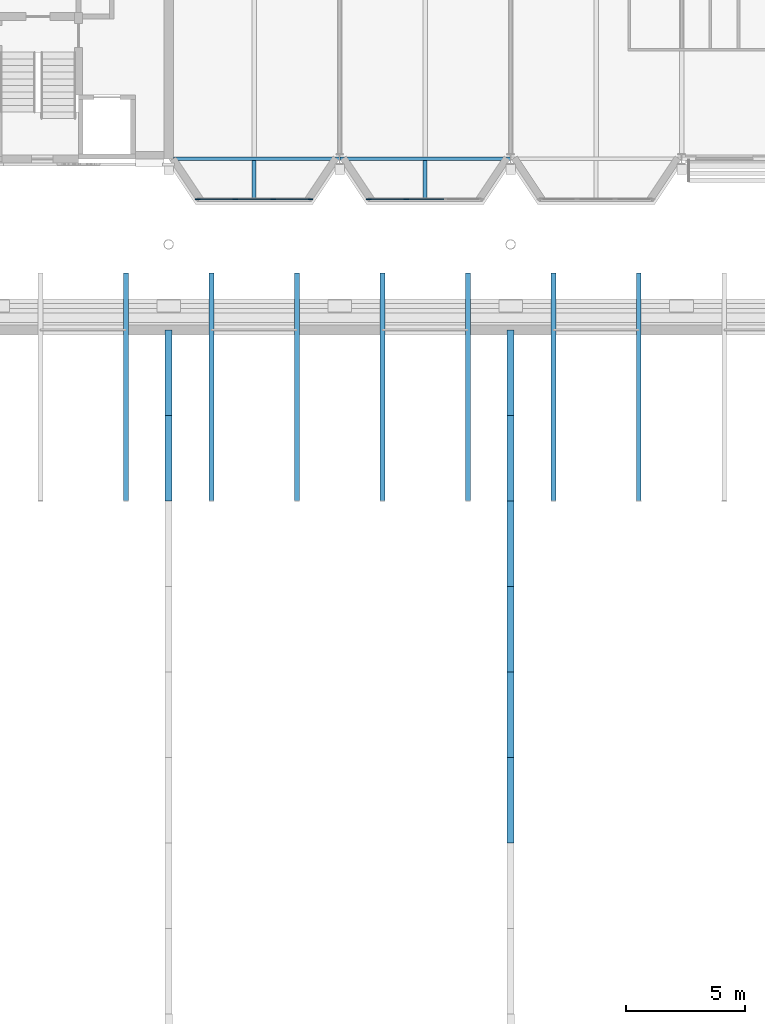
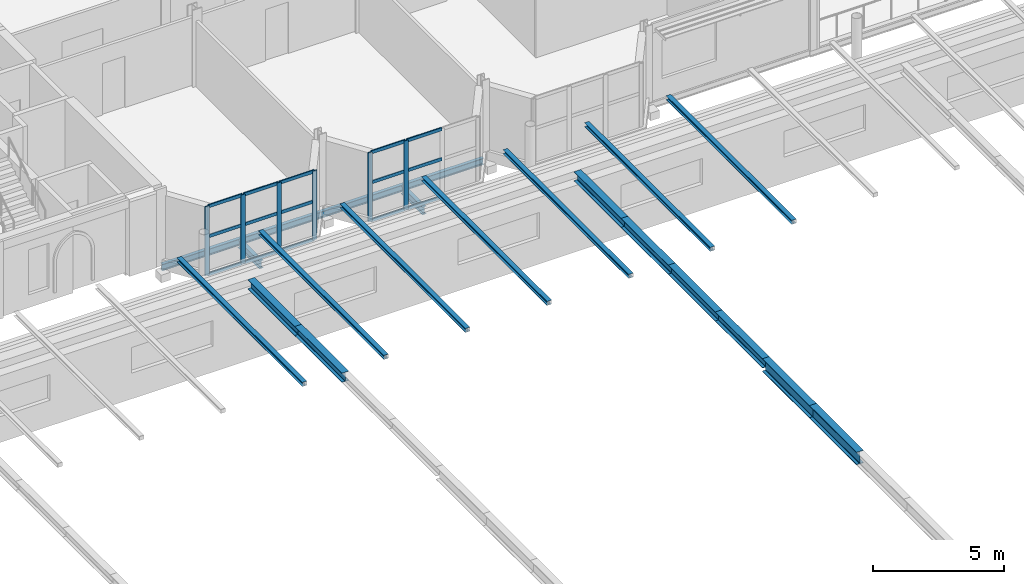
# One storey, part 27 of 110: 36 members, 4 beams, 2 elements without a shape of their own.
"""IFC4 building model written with IfcOpenShell, lengths in metres."""

from ifc_helpers import new_model, si_unit, direction, frame, origin, origin_2d, place, context, subcontext, project, spatial, rectangle, i_section, extrude, material, material_profile, profile_set, type_object, element, aggregate, save


model = new_model("IFC4")

# Units and contexts
model_context = context("Model", 3, precision=1e-05, world=origin(), true_north=direction((0.0, 1.0)))
body_context = subcontext(model_context, "Body", "Model", "MODEL_VIEW")
ifc_project = project(units=[si_unit("LENGTHUNIT", "METRE"), si_unit("AREAUNIT", "SQUARE_METRE"), si_unit("VOLUMEUNIT", "CUBIC_METRE"), si_unit("PLANEANGLEUNIT", "RADIAN"), si_unit("MASSUNIT", "GRAM", prefix="KILO")], contexts=[model_context])

# Site, building, storey
site_placement = place(None, origin())
site = spatial("IfcSite", under=ifc_project, at=site_placement, CompositionType="ELEMENT")
building_placement = place(site_placement, origin())
building = spatial("IfcBuilding", under=site, at=building_placement, Name="Kupolbacken Congress Centre", CompositionType="ELEMENT")
storey_placement = place(building_placement, frame((0.0, 0.0, 18.0)))
storey = spatial("IfcBuildingStorey", under=building, at=storey_placement, Name="L05", CompositionType="ELEMENT", Elevation=18.0)

# Beams
ifc_material_1 = material(Name="Steel S355", Category="steel")
ifc_material_profile_1 = material_profile(ifc_material_1, i_section(OverallWidth=0.14990234375, OverallDepth=0.300048828125, WebThickness=0.007080078125, FlangeThickness=0.0107421875, FilletRadius=0.014892578125, at=origin_2d()), Name="IPE 300")
ifc_profile_set_1 = profile_set([ifc_material_profile_1], Name="Steel S355")
beam_type_1 = type_object("IfcBeamType", Name="B04 beam IPE 300", PredefinedType="BEAM", material=ifc_profile_set_1)
beam_1_placement = place(storey_placement, frame((108.199951171875, 122.39990234375, -0.2900390625), z_axis=(1.0, 0.0, 0.0), x_axis=(0.0, 1.0, 0.0)))
element("IfcBeam", 1, at=beam_1_placement, inside=storey, type_object=beam_type_1, Name="S/floor/T/L05/R003", PredefinedType="BEAM", context=body_context, shape_type="SweptSolid", body=[
    extrude(i_section(OverallWidth=0.14990234375, OverallDepth=0.300048828125, WebThickness=0.007080078125, FlangeThickness=0.0107421875, FilletRadius=0.014892578125, at=origin_2d()), origin(), (0.0, 0.0, 1.0), 6.989501953125),
])
beam_2_placement = place(storey_placement, frame((115.21044921875, 122.39990234375, -0.2900390625), z_axis=(1.0, 0.0, 0.0), x_axis=(0.0, 1.0, 0.0)))
element("IfcBeam", 2, at=beam_2_placement, inside=storey, type_object=beam_type_1, Name="S/floor/T/L05/R004", PredefinedType="BEAM", context=body_context, shape_type="SweptSolid", body=[
    extrude(i_section(OverallWidth=0.14990234375, OverallDepth=0.300048828125, WebThickness=0.007080078125, FlangeThickness=0.0107421875, FilletRadius=0.014892578125, at=origin_2d()), origin(), (0.0, 0.0, 1.0), 7.178955078125),
])
ifc_material_2 = material(Name="Steel S355", Category="steel")
ifc_material_profile_2 = material_profile(ifc_material_2, i_section(OverallWidth=0.169921875, OverallDepth=0.360107421875, WebThickness=0.008056640625, FlangeThickness=0.0126953125, FilletRadius=0.01806640625, at=origin_2d()), Name="IPE 360")
ifc_profile_set_2 = profile_set([ifc_material_profile_2], Name="Steel S355")
beam_type_2 = type_object("IfcBeamType", Name="B06 beam IPE 360", PredefinedType="BEAM", material=ifc_profile_set_2)
for number, where, z_axis, x_axis, name in (
    (3, (111.60009765625, 122.324951171875, -0.320068359375), (0.0, -1.0, 0.0), (1.0, 0.0, 0.0), "S/floor/T/L05/C085"),
    (4, (118.800048828125, 122.324951171875, -0.320068359375), (0.0, -1.0, 0.0), (1.0, 0.0, 0.0), "S/floor/T/L05/C087"),
):
    element("IfcBeam", number, at=place(storey_placement, frame(where, z_axis=z_axis, x_axis=x_axis)), inside=storey, type_object=beam_type_2, Name=name, PredefinedType="BEAM", context=body_context, shape_type="SweptSolid", body=[
        extrude(i_section(OverallWidth=0.169921875, OverallDepth=0.360107421875, WebThickness=0.008056640625, FlangeThickness=0.0126953125, FilletRadius=0.01806640625, at=origin_2d()), origin(), (0.0, 0.0, 1.0), 1.6650390625),
    ])

# Members
ifc_material_3 = material(Name="Steel S355", Category="steel")
ifc_material_profile_3 = material_profile(ifc_material_3, i_section(OverallWidth=0.300048828125, OverallDepth=0.60009765625, WebThickness=0.015380859375, FlangeThickness=0.030029296875, FilletRadius=0.027099609375, at=origin_2d()), Name="HEB 600")
ifc_profile_set_3 = profile_set([ifc_material_profile_3], Name="Steel S355")
member_type_1 = type_object("IfcMemberType", Name="M02 transfer truss chord HEB 600", PredefinedType="CHORD", material=ifc_profile_set_3)
member_1_placement = place(storey_placement, frame((122.39990234375, 93.60009765625, 3.300048828125), z_axis=(0.0, 1.0, 0.0), x_axis=(-1.0, 0.0, 0.0)))
element("IfcMember", 5, at=member_1_placement, inside=storey, type_object=member_type_1, Name="HT/T3/TC15", PredefinedType="CHORD", context=body_context, shape_type="SweptSolid", body=[
    extrude(i_section(OverallWidth=0.300048828125, OverallDepth=0.60009765625, WebThickness=0.015380859375, FlangeThickness=0.030029296875, FilletRadius=0.027099609375, at=origin_2d()), origin(), (0.0, 0.0, 1.0), 3.599853515625),
])
member_2_placement = place(storey_placement, frame((122.39990234375, 97.199951171875, 3.300048828125), z_axis=(0.0, 1.0, 0.0), x_axis=(-1.0, 0.0, 0.0)))
element("IfcMember", 6, at=member_2_placement, inside=storey, type_object=member_type_1, Name="HT/T3/TC16", PredefinedType="CHORD", context=body_context, shape_type="SweptSolid", body=[
    extrude(i_section(OverallWidth=0.300048828125, OverallDepth=0.60009765625, WebThickness=0.015380859375, FlangeThickness=0.030029296875, FilletRadius=0.027099609375, at=origin_2d()), origin(), (0.0, 0.0, 1.0), 3.60009765625),
])
ifc_material_4 = material(Name="Steel S355", Category="steel")
ifc_material_profile_4 = material_profile(ifc_material_4, i_section(OverallWidth=0.300048828125, OverallDepth=0.43994140625, WebThickness=0.011474609375, FlangeThickness=0.02099609375, FilletRadius=0.027099609375, at=origin_2d()), Name="HEA 450")
ifc_profile_set_4 = profile_set([ifc_material_profile_4], Name="Steel S355")
member_type_2 = type_object("IfcMemberType", Name="M03 transfer truss chord HEA 450", PredefinedType="CHORD", material=ifc_profile_set_4)
member_3_placement = place(storey_placement, frame((108.0, 108.0, 3.3798828125), z_axis=(0.0, 1.0, 0.0), x_axis=(-1.0, 0.0, 0.0)))
element("IfcMember", 7, at=member_3_placement, inside=storey, type_object=member_type_2, Name="HT/T2/TC19", PredefinedType="CHORD", context=body_context, shape_type="SweptSolid", body=[
    extrude(i_section(OverallWidth=0.300048828125, OverallDepth=0.43994140625, WebThickness=0.011474609375, FlangeThickness=0.02099609375, FilletRadius=0.027099609375, at=origin_2d()), origin(), (0.0, 0.0, 1.0), 3.60009765625),
])
for number, where, z_axis, x_axis, name in (
    (8, (108.0, 111.60009765625, 3.3798828125), (0.0, 1.0, 0.0), (-1.0, 0.0, 0.0), "HT/T2/TC20"),
    (9, (122.39990234375, 100.800048828125, 3.3798828125), (0.0, 1.0, 0.0), (-1.0, 0.0, 0.0), "HT/T3/TC17"),
):
    element("IfcMember", number, at=place(storey_placement, frame(where, z_axis=z_axis, x_axis=x_axis)), inside=storey, type_object=member_type_2, Name=name, PredefinedType="CHORD", context=body_context, shape_type="SweptSolid", body=[
        extrude(i_section(OverallWidth=0.300048828125, OverallDepth=0.43994140625, WebThickness=0.011474609375, FlangeThickness=0.02099609375, FilletRadius=0.027099609375, at=origin_2d()), origin(), (0.0, 0.0, 1.0), 3.599853515625),
    ])
for number, where, z_axis, x_axis, name in (
    (10, (122.39990234375, 104.39990234375, 3.3798828125), (0.0, 1.0, 0.0), (-1.0, 0.0, 0.0), "HT/T3/TC18"),
    (11, (122.39990234375, 108.0, 3.3798828125), (0.0, 1.0, 0.0), (-1.0, 0.0, 0.0), "HT/T3/TC19"),
):
    element("IfcMember", number, at=place(storey_placement, frame(where, z_axis=z_axis, x_axis=x_axis)), inside=storey, type_object=member_type_2, Name=name, PredefinedType="CHORD", context=body_context, shape_type="SweptSolid", body=[
        extrude(i_section(OverallWidth=0.300048828125, OverallDepth=0.43994140625, WebThickness=0.011474609375, FlangeThickness=0.02099609375, FilletRadius=0.027099609375, at=origin_2d()), origin(), (0.0, 0.0, 1.0), 3.60009765625),
    ])
member_4_placement = place(storey_placement, frame((122.39990234375, 111.60009765625, 3.3798828125), z_axis=(0.0, 1.0, 0.0), x_axis=(-1.0, 0.0, 0.0)))
element("IfcMember", 12, at=member_4_placement, inside=storey, type_object=member_type_2, Name="HT/T3/TC20", PredefinedType="CHORD", context=body_context, shape_type="SweptSolid", body=[
    extrude(i_section(OverallWidth=0.300048828125, OverallDepth=0.43994140625, WebThickness=0.011474609375, FlangeThickness=0.02099609375, FilletRadius=0.027099609375, at=origin_2d()), origin(), (0.0, 0.0, 1.0), 3.599853515625),
])
ifc_material_5 = material(Name="Steel S355", Category="steel")
ifc_material_profile_5 = material_profile(ifc_material_5, i_section(OverallWidth=0.199951171875, OverallDepth=0.18994140625, WebThickness=0.006591796875, FlangeThickness=0.010009765625, FilletRadius=0.01806640625, at=origin_2d()), Name="HEA 200")
ifc_profile_set_5 = profile_set([ifc_material_profile_5], Name="Steel S355")
member_type_3 = type_object("IfcMemberType", Name="M14 member HEA 200", PredefinedType="BRACE", material=ifc_profile_set_5)
for number, where, z_axis, x_axis, name in (
    (13, (106.199951171875, 108.0, 3.68505859375), (0.0, 1.0, 0.0), (-1.0, 0.0, 0.0), "HE/N06"),
    (14, (109.800048828125, 108.0, 3.68505859375), (0.0, 1.0, 0.0), (-1.0, 0.0, 0.0), "HE/N07"),
    (15, (113.39990234375, 108.0, 3.68505859375), (0.0, 1.0, 0.0), (-1.0, 0.0, 0.0), "HE/N08"),
    (16, (117.0, 108.0, 3.68505859375), (0.0, 1.0, 0.0), (-1.0, 0.0, 0.0), "HE/N09"),
    (17, (120.60009765625, 108.0, 3.68505859375), (0.0, 1.0, 0.0), (-1.0, 0.0, 0.0), "HE/N10"),
    (18, (124.199951171875, 108.0, 3.68505859375), (0.0, 1.0, 0.0), (-1.0, 0.0, 0.0), "HE/N11"),
    (19, (127.800048828125, 108.0, 3.68505859375), (0.0, 1.0, 0.0), (-1.0, 0.0, 0.0), "HE/N12"),
):
    element("IfcMember", number, at=place(storey_placement, frame(where, z_axis=z_axis, x_axis=x_axis)), inside=storey, type_object=member_type_3, Name=name, PredefinedType="BRACE", context=body_context, shape_type="SweptSolid", body=[
        extrude(i_section(OverallWidth=0.199951171875, OverallDepth=0.18994140625, WebThickness=0.006591796875, FlangeThickness=0.010009765625, FilletRadius=0.01806640625, at=origin_2d()), origin(), (0.0, 0.0, 1.0), 9.60009765625),
    ])

# Curtain wall, members
ifc_material_6 = material(Name="Aluminium mullion-transom frame with glass", Category="aluminium")
curtain_wall_type = type_object("IfcCurtainWallType", Name="CW1 curtain wall 7200x3600", PredefinedType="NOTDEFINED", material=ifc_material_6)
curtain_wall_1_placement = place(storey_placement, origin())
curtain_wall_1 = element("IfcCurtainWall", 20, at=curtain_wall_1_placement, inside=storey, type_object=curtain_wall_type, Name="E/T/cumba/L05/S/013/cw", PredefinedType="NOTDEFINED")
ifc_material_7 = material(Name="Aluminium alloy", Category="aluminium")
ifc_material_profile_6 = material_profile(ifc_material_7, rectangle(XDim=0.050048828125, YDim=0.199951171875, at=origin_2d()), Name="50 x 200")
ifc_profile_set_6 = profile_set([ifc_material_profile_6], Name="Aluminium alloy")
member_type_4 = type_object("IfcMemberType", Name="MU2 mullion 50x200", PredefinedType="MULLION", material=ifc_profile_set_6)
member_5_placement = place(storey_placement, frame((109.22509765625, 120.699951171875, 0.0), z_axis=(0.0, 0.0, 1.0), x_axis=(0.0, 1.0, 0.0)))
member_5 = element("IfcMember", 21, at=member_5_placement, type_object=member_type_4, Name="CW1 mullion 1", PredefinedType="MULLION", context=body_context, shape_type="SweptSolid", body=[
    extrude(rectangle(XDim=0.050048828125, YDim=0.199951171875, at=origin_2d()), origin(), (0.0, 0.0, 1.0), 3.219970703125),
])
member_6_placement = place(storey_placement, frame((110.800048828125, 120.699951171875, 0.0), z_axis=(0.0, 0.0, 1.0), x_axis=(0.0, 1.0, 0.0)))
member_6 = element("IfcMember", 22, at=member_6_placement, type_object=member_type_4, Name="CW1 mullion 2", PredefinedType="MULLION", context=body_context, shape_type="SweptSolid", body=[
    extrude(rectangle(XDim=0.050048828125, YDim=0.199951171875, at=origin_2d()), origin(), (0.0, 0.0, 1.0), 3.219970703125),
])
member_7_placement = place(storey_placement, frame((112.39990234375, 120.699951171875, 0.0), z_axis=(0.0, 0.0, 1.0), x_axis=(0.0, 1.0, 0.0)))
member_7 = element("IfcMember", 23, at=member_7_placement, type_object=member_type_4, Name="CW1 mullion 3", PredefinedType="MULLION", context=body_context, shape_type="SweptSolid", body=[
    extrude(rectangle(XDim=0.050048828125, YDim=0.199951171875, at=origin_2d()), origin(), (0.0, 0.0, 1.0), 3.219970703125),
])
member_8_placement = place(storey_placement, frame((113.97509765625, 120.699951171875, 0.0), z_axis=(0.0, 0.0, 1.0), x_axis=(0.0, 1.0, 0.0)))
member_8 = element("IfcMember", 24, at=member_8_placement, type_object=member_type_4, Name="CW1 mullion 4", PredefinedType="MULLION", context=body_context, shape_type="SweptSolid", body=[
    extrude(rectangle(XDim=0.050048828125, YDim=0.199951171875, at=origin_2d()), origin(), (0.0, 0.0, 1.0), 3.219970703125),
])

curtain_wall_2_placement = place(storey_placement, origin())
curtain_wall_2 = element("IfcCurtainWall", 25, at=curtain_wall_2_placement, inside=storey, type_object=curtain_wall_type, Name="E/T/cumba/L05/S/017/cw", PredefinedType="NOTDEFINED")
member_9_placement = place(storey_placement, frame((116.425048828125, 120.699951171875, 0.0), z_axis=(0.0, 0.0, 1.0), x_axis=(0.0, 1.0, 0.0)))
member_9 = element("IfcMember", 26, at=member_9_placement, type_object=member_type_4, Name="CW1 mullion 1", PredefinedType="MULLION", context=body_context, shape_type="SweptSolid", body=[
    extrude(rectangle(XDim=0.050048828125, YDim=0.199951171875, at=origin_2d()), origin(), (0.0, 0.0, 1.0), 3.219970703125),
])
member_10_placement = place(storey_placement, frame((118.0, 120.699951171875, 0.0), z_axis=(0.0, 0.0, 1.0), x_axis=(0.0, 1.0, 0.0)))
member_10 = element("IfcMember", 27, at=member_10_placement, type_object=member_type_4, Name="CW1 mullion 2", PredefinedType="MULLION", context=body_context, shape_type="SweptSolid", body=[
    extrude(rectangle(XDim=0.050048828125, YDim=0.199951171875, at=origin_2d()), origin(), (0.0, 0.0, 1.0), 3.219970703125),
])

# Member
ifc_material_8 = material(Name="Aluminium alloy", Category="aluminium")
ifc_material_profile_7 = material_profile(ifc_material_8, rectangle(XDim=0.050048828125, YDim=0.14990234375, at=origin_2d()), Name="50 x 150")
ifc_profile_set_7 = profile_set([ifc_material_profile_7], Name="Aluminium alloy")
member_type_5 = type_object("IfcMemberType", Name="TR2 transom 50x150", PredefinedType="MULLION", material=ifc_profile_set_7)
member_11_placement = place(storey_placement, frame((109.25, 120.699951171875, 0.02490234375), z_axis=(1.0, 0.0, 0.0), x_axis=(0.0, 1.0, 0.0)))
member_11 = element("IfcMember", 28, at=member_11_placement, type_object=member_type_5, Name="CW1 transom 1.1", PredefinedType="MULLION", context=body_context, shape_type="SweptSolid", body=[
    extrude(rectangle(XDim=0.050048828125, YDim=0.14990234375, at=origin_2d()), origin(), (0.0, 0.0, 1.0), 1.52490234375),
])

member_12_placement = place(storey_placement, frame((109.25, 120.699951171875, 1.800048828125), z_axis=(1.0, 0.0, 0.0), x_axis=(0.0, 1.0, 0.0)))
member_12 = element("IfcMember", 29, at=member_12_placement, type_object=member_type_5, Name="CW1 transom 1.2", PredefinedType="MULLION", context=body_context, shape_type="SweptSolid", body=[
    extrude(rectangle(XDim=0.050048828125, YDim=0.14990234375, at=origin_2d()), origin(), (0.0, 0.0, 1.0), 1.52490234375),
])

member_13_placement = place(storey_placement, frame((109.25, 120.699951171875, 3.195068359375), z_axis=(1.0, 0.0, 0.0), x_axis=(0.0, 1.0, 0.0)))
member_13 = element("IfcMember", 30, at=member_13_placement, type_object=member_type_5, Name="CW1 transom 1.3", PredefinedType="MULLION", context=body_context, shape_type="SweptSolid", body=[
    extrude(rectangle(XDim=0.050048828125, YDim=0.14990234375, at=origin_2d()), origin(), (0.0, 0.0, 1.0), 1.52490234375),
])

member_14_placement = place(storey_placement, frame((110.824951171875, 120.699951171875, 0.02490234375), z_axis=(1.0, 0.0, 0.0), x_axis=(0.0, 1.0, 0.0)))
member_14 = element("IfcMember", 31, at=member_14_placement, type_object=member_type_5, Name="CW1 transom 2.1", PredefinedType="MULLION", context=body_context, shape_type="SweptSolid", body=[
    extrude(rectangle(XDim=0.050048828125, YDim=0.14990234375, at=origin_2d()), origin(), (0.0, 0.0, 1.0), 1.550048828125),
])

member_15_placement = place(storey_placement, frame((110.824951171875, 120.699951171875, 1.800048828125), z_axis=(1.0, 0.0, 0.0), x_axis=(0.0, 1.0, 0.0)))
member_15 = element("IfcMember", 32, at=member_15_placement, type_object=member_type_5, Name="CW1 transom 2.2", PredefinedType="MULLION", context=body_context, shape_type="SweptSolid", body=[
    extrude(rectangle(XDim=0.050048828125, YDim=0.14990234375, at=origin_2d()), origin(), (0.0, 0.0, 1.0), 1.550048828125),
])

member_16_placement = place(storey_placement, frame((110.824951171875, 120.699951171875, 3.195068359375), z_axis=(1.0, 0.0, 0.0), x_axis=(0.0, 1.0, 0.0)))
member_16 = element("IfcMember", 33, at=member_16_placement, type_object=member_type_5, Name="CW1 transom 2.3", PredefinedType="MULLION", context=body_context, shape_type="SweptSolid", body=[
    extrude(rectangle(XDim=0.050048828125, YDim=0.14990234375, at=origin_2d()), origin(), (0.0, 0.0, 1.0), 1.550048828125),
])

member_17_placement = place(storey_placement, frame((112.425048828125, 120.699951171875, 0.02490234375), z_axis=(1.0, 0.0, 0.0), x_axis=(0.0, 1.0, 0.0)))
member_17 = element("IfcMember", 34, at=member_17_placement, type_object=member_type_5, Name="CW1 transom 3.1", PredefinedType="MULLION", context=body_context, shape_type="SweptSolid", body=[
    extrude(rectangle(XDim=0.050048828125, YDim=0.14990234375, at=origin_2d()), origin(), (0.0, 0.0, 1.0), 1.52490234375),
])

member_18_placement = place(storey_placement, frame((112.425048828125, 120.699951171875, 1.800048828125), z_axis=(1.0, 0.0, 0.0), x_axis=(0.0, 1.0, 0.0)))
member_18 = element("IfcMember", 35, at=member_18_placement, type_object=member_type_5, Name="CW1 transom 3.2", PredefinedType="MULLION", context=body_context, shape_type="SweptSolid", body=[
    extrude(rectangle(XDim=0.050048828125, YDim=0.14990234375, at=origin_2d()), origin(), (0.0, 0.0, 1.0), 1.52490234375),
])

member_19_placement = place(storey_placement, frame((112.425048828125, 120.699951171875, 3.195068359375), z_axis=(1.0, 0.0, 0.0), x_axis=(0.0, 1.0, 0.0)))
member_19 = element("IfcMember", 36, at=member_19_placement, type_object=member_type_5, Name="CW1 transom 3.3", PredefinedType="MULLION", context=body_context, shape_type="SweptSolid", body=[
    extrude(rectangle(XDim=0.050048828125, YDim=0.14990234375, at=origin_2d()), origin(), (0.0, 0.0, 1.0), 1.52490234375),
])

aggregate(curtain_wall_1, [member_5, member_6, member_7, member_8, member_11, member_12, member_13, member_14, member_15, member_16, member_17, member_18, member_19])

member_20_placement = place(storey_placement, frame((116.449951171875, 120.699951171875, 0.02490234375), z_axis=(1.0, 0.0, 0.0), x_axis=(0.0, 1.0, 0.0)))
member_20 = element("IfcMember", 37, at=member_20_placement, type_object=member_type_5, Name="CW1 transom 1.1", PredefinedType="MULLION", context=body_context, shape_type="SweptSolid", body=[
    extrude(rectangle(XDim=0.050048828125, YDim=0.14990234375, at=origin_2d()), origin(), (0.0, 0.0, 1.0), 1.525146484375),
])

member_21_placement = place(storey_placement, frame((116.449951171875, 120.699951171875, 1.800048828125), z_axis=(1.0, 0.0, 0.0), x_axis=(0.0, 1.0, 0.0)))
member_21 = element("IfcMember", 38, at=member_21_placement, type_object=member_type_5, Name="CW1 transom 1.2", PredefinedType="MULLION", context=body_context, shape_type="SweptSolid", body=[
    extrude(rectangle(XDim=0.050048828125, YDim=0.14990234375, at=origin_2d()), origin(), (0.0, 0.0, 1.0), 1.525146484375),
])

member_22_placement = place(storey_placement, frame((116.449951171875, 120.699951171875, 3.195068359375), z_axis=(1.0, 0.0, 0.0), x_axis=(0.0, 1.0, 0.0)))
member_22 = element("IfcMember", 39, at=member_22_placement, type_object=member_type_5, Name="CW1 transom 1.3", PredefinedType="MULLION", context=body_context, shape_type="SweptSolid", body=[
    extrude(rectangle(XDim=0.050048828125, YDim=0.14990234375, at=origin_2d()), origin(), (0.0, 0.0, 1.0), 1.525146484375),
])

member_23_placement = place(storey_placement, frame((118.02490234375, 120.699951171875, 0.02490234375), z_axis=(1.0, 0.0, 0.0), x_axis=(0.0, 1.0, 0.0)))
member_23 = element("IfcMember", 40, at=member_23_placement, type_object=member_type_5, Name="CW1 transom 2.1", PredefinedType="MULLION", context=body_context, shape_type="SweptSolid", body=[
    extrude(rectangle(XDim=0.050048828125, YDim=0.14990234375, at=origin_2d()), origin(), (0.0, 0.0, 1.0), 1.550048828125),
])

member_24_placement = place(storey_placement, frame((118.02490234375, 120.699951171875, 1.800048828125), z_axis=(1.0, 0.0, 0.0), x_axis=(0.0, 1.0, 0.0)))
member_24 = element("IfcMember", 41, at=member_24_placement, type_object=member_type_5, Name="CW1 transom 2.2", PredefinedType="MULLION", context=body_context, shape_type="SweptSolid", body=[
    extrude(rectangle(XDim=0.050048828125, YDim=0.14990234375, at=origin_2d()), origin(), (0.0, 0.0, 1.0), 1.550048828125),
])

member_25_placement = place(storey_placement, frame((118.02490234375, 120.699951171875, 3.195068359375), z_axis=(1.0, 0.0, 0.0), x_axis=(0.0, 1.0, 0.0)))
member_25 = element("IfcMember", 42, at=member_25_placement, type_object=member_type_5, Name="CW1 transom 2.3", PredefinedType="MULLION", context=body_context, shape_type="SweptSolid", body=[
    extrude(rectangle(XDim=0.050048828125, YDim=0.14990234375, at=origin_2d()), origin(), (0.0, 0.0, 1.0), 1.550048828125),
])

aggregate(curtain_wall_2, [member_9, member_10, member_20, member_21, member_22, member_23, member_24, member_25])

save(model, "model.ifc")
